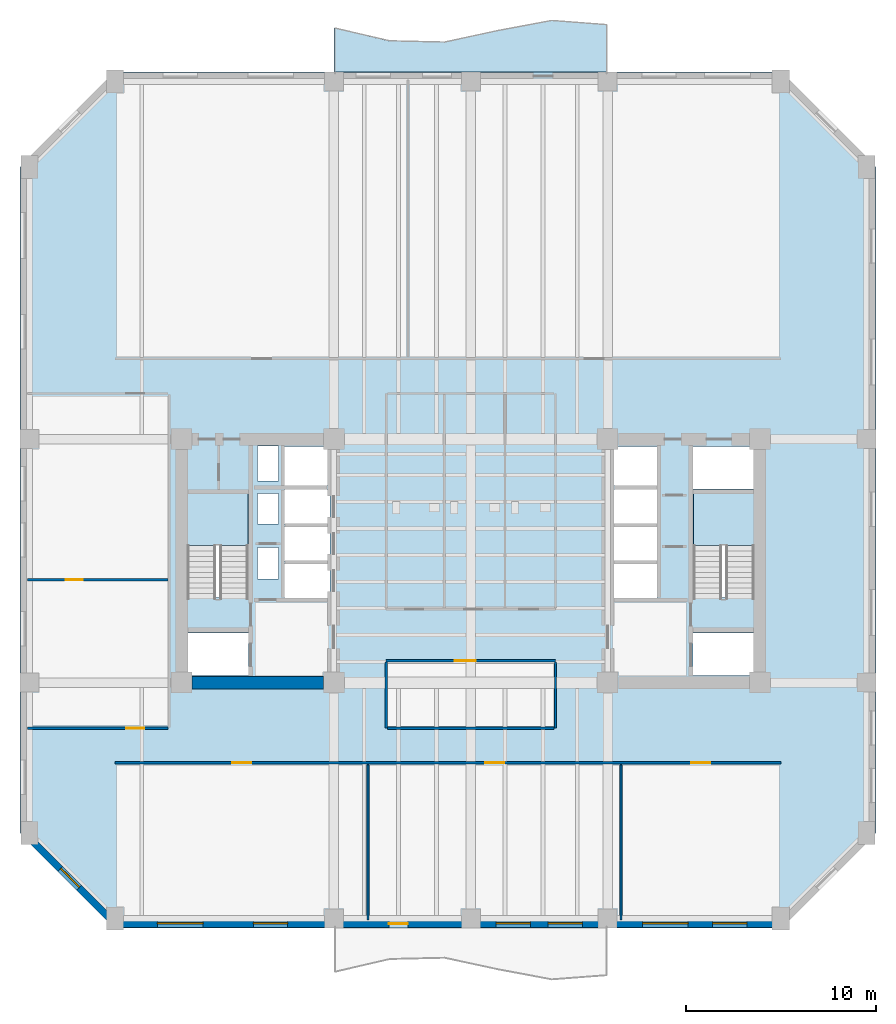
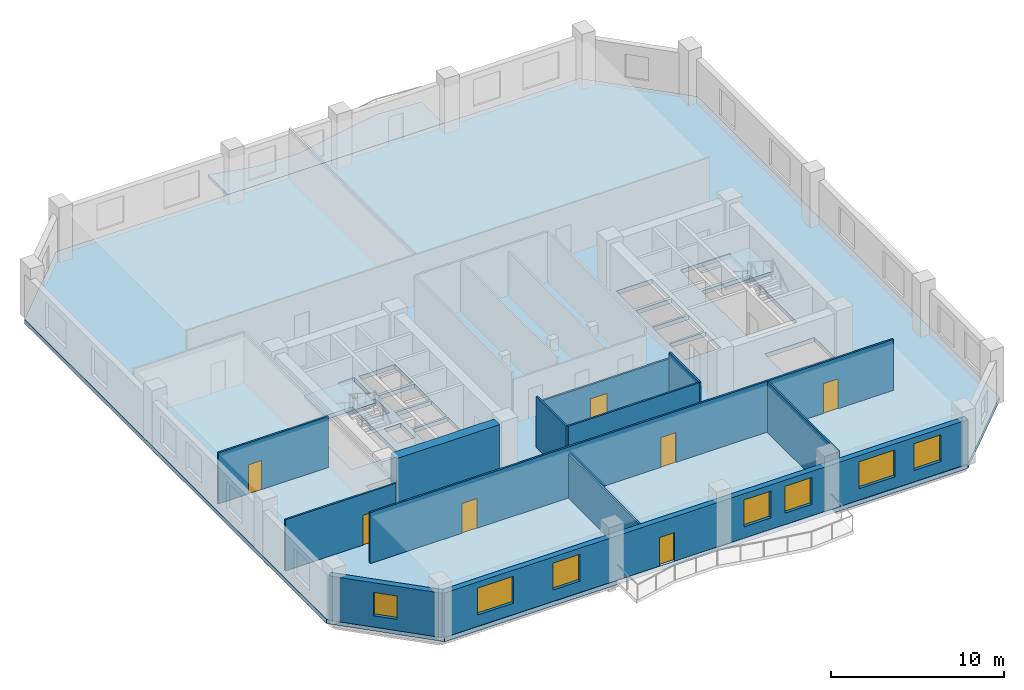
# One storey, part 2 of 10: 12 walls, 7 doors, 7 windows, 4 slabs, 14 openings, 2 elements without a shape of their own.
"""IFC4 building model written with IfcOpenShell, lengths in metres."""

from ifc_helpers import new_model, si_unit, direction, frame, frame_2d, origin, place, context, subcontext, project, spatial, polyline, rectangle, outline, extrude, material, layer, layer_set, type_object, element, fill, aggregate, save


model = new_model("IFC4")

# Units and contexts
model_context = context("Model", 3, precision=1e-05, world=origin(), true_north=direction((0.0, 1.0)))
body_context = subcontext(model_context, "Body", "Model", "MODEL_VIEW")
ifc_project = project(units=[si_unit("LENGTHUNIT", "METRE"), si_unit("AREAUNIT", "SQUARE_METRE"), si_unit("VOLUMEUNIT", "CUBIC_METRE"), si_unit("PLANEANGLEUNIT", "RADIAN"), si_unit("MASSUNIT", "GRAM", prefix="KILO")], contexts=[model_context])

# Site, building, storey
site_placement = place(None, origin())
site = spatial("IfcSite", under=ifc_project, at=site_placement, CompositionType="ELEMENT")
building_placement = place(site_placement, origin())
building = spatial("IfcBuilding", under=site, at=building_placement, Name="Kranthara Brick Stack", CompositionType="ELEMENT")
storey_placement = place(building_placement, frame((0.0, 0.0, 98.39990234375)))
storey = spatial("IfcBuildingStorey", under=building, at=storey_placement, Name="L24", CompositionType="ELEMENT", Elevation=98.39990234375)

# Slab
ifc_material_1 = material(Name="Concrete C45/55", Category="concrete")
ifc_layer_1 = layer(ifc_material_1, 0.219970703125)
ifc_layer_set_1 = layer_set([ifc_layer_1], Name="Concrete C45/55")
slab_type_1 = type_object("IfcSlabType", Name="SLB-BALC-220", PredefinedType="FLOOR", material=ifc_layer_set_1)
slab_1_placement = place(storey_placement, frame((0.0, 0.0, -0.219970703125)))
element("IfcSlab", 1, at=slab_1_placement, inside=storey, type_object=slab_type_1, Name="L24 North Rippling Balcony Slab", PredefinedType="FLOOR", context=body_context, shape_type="SweptSolid", body=[
    extrude(outline(polyline([(35.199951171875, 52.89990234375), (20.800048828125, 52.89990234375), (20.800048828125, 55.218017578125), (23.679931640625, 54.544677734375), (26.56005859375, 54.475341796875), (29.43994140625, 55.09716796875), (32.320068359375, 55.628173828125), (35.199951171875, 55.400634765625), (35.199951171875, 52.89990234375)])), origin(), (0.0, 0.0, 1.0), 0.219970703125),
])

# Stair, slab
ifc_material_2 = material(Name="Concrete C45/55", Category="concrete")
stair_type = type_object("IfcStairType", Name="ST-CORE-22R", PredefinedType="HALF_TURN_STAIR", material=ifc_material_2)
stair_1_placement = place(storey_placement, origin())
stair_1 = element("IfcStair", 2, at=stair_1_placement, inside=storey, type_object=stair_type, Name="L24 West Core Protected Exit Stair ST01", PredefinedType="HALF_TURN_STAIR")
ifc_material_3 = material(Name="Concrete C45/55", Category="concrete")
ifc_layer_2 = layer(ifc_material_3, 0.199951171875)
ifc_layer_set_2 = layer_set([ifc_layer_2], Name="Concrete C45/55")
slab_type_2 = type_object("IfcSlabType", Name="SLB-LANDING-200", PredefinedType="LANDING", material=ifc_layer_set_2)
slab_2_placement = place(storey_placement, frame((0.0, 0.0, 1.75)))
slab_2 = element("IfcSlab", 3, at=slab_2_placement, type_object=slab_type_2, Name="ST01 landing 1", PredefinedType="LANDING", context=body_context, shape_type="SweptSolid", body=[
    extrude(outline(polyline([(16.300048828125, 28.0), (16.300048828125, 30.75), (13.10009765625, 30.75), (13.10009765625, 28.0), (16.300048828125, 28.0)])), origin(), (0.0, 0.0, 1.0), 0.2001953125),
])
aggregate(stair_1, [slab_2])

stair_2_placement = place(storey_placement, origin())
stair_2 = element("IfcStair", 4, at=stair_2_placement, inside=storey, type_object=stair_type, Name="L24 East Core Protected Exit Stair ST02", PredefinedType="HALF_TURN_STAIR")
slab_3_placement = place(storey_placement, frame((0.0, 0.0, 1.75)))
slab_3 = element("IfcSlab", 5, at=slab_3_placement, type_object=slab_type_2, Name="ST02 landing 1", PredefinedType="LANDING", context=body_context, shape_type="SweptSolid", body=[
    extrude(outline(polyline([(42.89990234375, 28.0), (42.89990234375, 30.75), (39.699951171875, 30.75), (39.699951171875, 28.0), (42.89990234375, 28.0)])), origin(), (0.0, 0.0, 1.0), 0.2001953125),
])
aggregate(stair_2, [slab_3])

# Slab
ifc_material_4 = material(Name="Post-tensioned concrete C45/55", Category="concrete")
ifc_layer_3 = layer(ifc_material_4, 0.300048828125)
ifc_layer_set_3 = layer_set([ifc_layer_3], Name="Post-tensioned concrete C45/55")
slab_type_3 = type_object("IfcSlabType", Name="SLB-TWR-300", PredefinedType="FLOOR", material=ifc_layer_set_3)
slab_4_placement = place(storey_placement, frame((0.0, 0.0, -0.2998046875)))
element("IfcSlab", 6, at=slab_4_placement, inside=storey, type_object=slab_type_3, Name="L24 Structural Floor Plate", PredefinedType="FLOOR", context=body_context, shape_type="SweptSolid", body=[
    extrude(outline(polyline([(9.300048828125, 7.89990234375), (44.300048828125, 7.89990234375), (49.300048828125, 12.89990234375), (49.300048828125, 47.89990234375), (44.300048828125, 52.89990234375), (9.300048828125, 52.89990234375), (4.300048828125, 47.89990234375), (4.300048828125, 12.89990234375), (9.300048828125, 7.89990234375)]), holes=[polyline([(13.10009765625, 25.280029296875), (16.300048828125, 25.280029296875), (16.300048828125, 30.75), (13.10009765625, 30.75), (13.10009765625, 25.280029296875)]), polyline([(39.699951171875, 25.280029296875), (42.89990234375, 25.280029296875), (42.89990234375, 30.75), (39.699951171875, 30.75), (39.699951171875, 25.280029296875)]), polyline([(13.0, 21.179931640625), (16.320068359375, 21.179931640625), (16.320068359375, 23.419921875), (13.0, 23.419921875), (13.0, 21.179931640625)]), polyline([(39.679931640625, 21.179931640625), (43.0, 21.179931640625), (43.0, 23.419921875), (39.679931640625, 23.419921875), (39.679931640625, 21.179931640625)]), polyline([(39.679931640625, 30.97998046875), (43.0, 30.97998046875), (43.0, 33.219970703125), (39.679931640625, 33.219970703125), (39.679931640625, 30.97998046875)]), polyline([(18.199951171875, 25.25), (20.60009765625, 25.25), (20.60009765625, 27.050048828125), (18.199951171875, 27.050048828125), (18.199951171875, 25.25)]), polyline([(18.199951171875, 27.199951171875), (20.60009765625, 27.199951171875), (20.60009765625, 29.0), (18.199951171875, 29.0), (18.199951171875, 27.199951171875)]), polyline([(18.199951171875, 29.14990234375), (20.60009765625, 29.14990234375), (20.60009765625, 30.949951171875), (18.199951171875, 30.949951171875), (18.199951171875, 29.14990234375)]), polyline([(35.39990234375, 25.25), (37.800048828125, 25.25), (37.800048828125, 27.050048828125), (35.39990234375, 27.050048828125), (35.39990234375, 25.25)]), polyline([(35.39990234375, 27.199951171875), (37.800048828125, 27.199951171875), (37.800048828125, 29.0), (35.39990234375, 29.0), (35.39990234375, 27.199951171875)]), polyline([(35.39990234375, 29.14990234375), (37.800048828125, 29.14990234375), (37.800048828125, 30.949951171875), (35.39990234375, 30.949951171875), (35.39990234375, 29.14990234375)]), polyline([(18.199951171875, 31.14990234375), (20.60009765625, 31.14990234375), (20.60009765625, 33.219970703125), (18.199951171875, 33.219970703125), (18.199951171875, 31.14990234375)]), polyline([(35.39990234375, 31.14990234375), (37.800048828125, 31.14990234375), (37.800048828125, 33.219970703125), (35.39990234375, 33.219970703125), (35.39990234375, 31.14990234375)]), polyline([(16.800048828125, 26.25), (17.89990234375, 26.25), (17.89990234375, 27.89990234375), (16.800048828125, 27.89990234375), (16.800048828125, 26.25)]), polyline([(16.800048828125, 29.14990234375), (17.89990234375, 29.14990234375), (17.89990234375, 30.75), (16.800048828125, 30.75), (16.800048828125, 29.14990234375)]), polyline([(16.800048828125, 31.39990234375), (17.89990234375, 31.39990234375), (17.89990234375, 33.25), (16.800048828125, 33.25), (16.800048828125, 31.39990234375)])]), origin(), (0.0, 0.0, 1.0), 0.2998046875),
])

# Wall, openings, door, windows
ifc_material_5 = material(Name="Kiln-fired clay brick masonry M15", Category="masonry")
ifc_layer_4 = layer(ifc_material_5, 0.3798828125)
ifc_layer_set_4 = layer_set([ifc_layer_4], Name="Kiln-fired clay brick masonry M15")
wall_type_1 = type_object("IfcWallType", Name="WL-BRK-PIER-380", PredefinedType="STANDARD", material=ifc_layer_set_4)
wall_1_placement = place(storey_placement, frame((44.300048828125, 8.110107421875, 0.0), z_axis=(0.0, 0.0, 1.0), x_axis=(-1.0, 0.0, 0.0)))
wall_1 = element("IfcWall", 7, at=wall_1_placement, inside=storey, type_object=wall_type_1, Name="L24 Exterior Brick Facade Wall SOUTH 1", PredefinedType="STANDARD", context=body_context, shape_type="SweptSolid", body=[
    extrude(rectangle(XDim=35.0, YDim=0.3798828125, at=frame_2d((17.5, 0.0))), origin(), (0.0, 0.0, 1.0), 3.135009765625),
])
opening_1_placement = place(wall_1_placement, frame((19.60009765625, 0.0, 0.0)))
opening_1 = element("IfcOpeningElement", 8, at=opening_1_placement, cuts=wall_1, Name="Opening D03", PredefinedType="OPENING", context=body_context, shape_type="SweptSolid", body=[
    extrude(rectangle(XDim=1.0, YDim=2.02001953125, at=frame_2d((0.5, 1.010009765625))), frame((0.0, 0.199951171875, 0.0), z_axis=(0.0, -1.0, 0.0), x_axis=(1.0, 0.0, 0.0)), (0.0, 0.0, 1.0), 0.39990234375),
])
opening_2_placement = place(wall_1_placement, frame((1.782958984375, 0.0, 0.800048828125)))
opening_2 = element("IfcOpeningElement", 9, at=opening_2_placement, cuts=wall_1, Name="Opening WN01", PredefinedType="OPENING", context=body_context, shape_type="SweptSolid", body=[
    extrude(rectangle(XDim=1.800048828125, YDim=1.89990234375, at=frame_2d((0.89990234375, 0.949951171875))), frame((0.0, 0.199951171875, 0.0), z_axis=(0.0, -1.0, 0.0), x_axis=(1.0, 0.0, 0.0)), (0.0, 0.0, 1.0), 0.39990234375),
])
opening_3_placement = place(wall_1_placement, frame((4.866943359375, 0.0, 0.800048828125)))
opening_3 = element("IfcOpeningElement", 10, at=opening_3_placement, cuts=wall_1, Name="Opening WN02", PredefinedType="OPENING", context=body_context, shape_type="SweptSolid", body=[
    extrude(rectangle(XDim=2.39990234375, YDim=1.89990234375, at=frame_2d((1.199951171875, 0.949951171875))), frame((0.0, 0.199951171875, 0.0), z_axis=(0.0, -1.0, 0.0), x_axis=(1.0, 0.0, 0.0)), (0.0, 0.0, 1.0), 0.39990234375),
])
opening_4_placement = place(wall_1_placement, frame((10.431884765625, 0.0, 0.800048828125)))
opening_4 = element("IfcOpeningElement", 11, at=opening_4_placement, cuts=wall_1, Name="Opening WN01", PredefinedType="OPENING", context=body_context, shape_type="SweptSolid", body=[
    extrude(rectangle(XDim=1.800048828125, YDim=1.89990234375, at=frame_2d((0.89990234375, 0.949951171875))), frame((0.0, 0.199951171875, 0.0), z_axis=(0.0, -1.0, 0.0), x_axis=(1.0, 0.0, 0.0)), (0.0, 0.0, 1.0), 0.39990234375),
])
opening_5_placement = place(wall_1_placement, frame((13.16796875, 0.0, 0.800048828125)))
opening_5 = element("IfcOpeningElement", 12, at=opening_5_placement, cuts=wall_1, Name="Opening WN01", PredefinedType="OPENING", context=body_context, shape_type="SweptSolid", body=[
    extrude(rectangle(XDim=1.800048828125, YDim=1.89990234375, at=frame_2d((0.89990234375, 0.949951171875))), frame((0.0, 0.199951171875, 0.0), z_axis=(0.0, -1.0, 0.0), x_axis=(1.0, 0.0, 0.0)), (0.0, 0.0, 1.0), 0.39990234375),
])
opening_6_placement = place(wall_1_placement, frame((25.924072265625, 0.0, 0.800048828125)))
opening_6 = element("IfcOpeningElement", 13, at=opening_6_placement, cuts=wall_1, Name="Opening WN01", PredefinedType="OPENING", context=body_context, shape_type="SweptSolid", body=[
    extrude(rectangle(XDim=1.800048828125, YDim=1.89990234375, at=frame_2d((0.89990234375, 0.949951171875))), frame((0.0, 0.199951171875, 0.0), z_axis=(0.0, -1.0, 0.0), x_axis=(1.0, 0.0, 0.0)), (0.0, 0.0, 1.0), 0.39990234375),
])
opening_7_placement = place(wall_1_placement, frame((30.3759765625, 0.0, 0.800048828125)))
opening_7 = element("IfcOpeningElement", 14, at=opening_7_placement, cuts=wall_1, Name="Opening WN02", PredefinedType="OPENING", context=body_context, shape_type="SweptSolid", body=[
    extrude(rectangle(XDim=2.39990234375, YDim=1.89990234375, at=frame_2d((1.199951171875, 0.949951171875))), frame((0.0, 0.199951171875, 0.0), z_axis=(0.0, -1.0, 0.0), x_axis=(1.0, 0.0, 0.0)), (0.0, 0.0, 1.0), 0.39990234375),
])
ifc_material_6 = material(Name="Bronze anodised aluminium and laminated glass", Category="aluminium")
door_type_1 = type_object("IfcDoorType", Name="DR-BALC-1000", OperationType="NOTDEFINED", PredefinedType="DOOR", material=ifc_material_6)
door_1_placement = place(opening_1_placement, origin())
door_1 = element("IfcDoor", 15, at=door_1_placement, inside=storey, type_object=door_type_1, Name="L24 South Balcony Terrace Door", OperationType="SINGLE_SWING_LEFT", OverallHeight=2.02001953125, OverallWidth=1.0, PredefinedType="DOOR", context=body_context, shape_type="SweptSolid", body=[
    extrude(rectangle(XDim=1.0, YDim=2.02001953125, at=frame_2d((0.5, 1.010009765625))), frame((0.0, 0.02490234375, 0.0), z_axis=(0.0, -1.0, 0.0), x_axis=(1.0, 0.0, 0.0)), (0.0, 0.0, 1.0), 0.050048828125),
])
fill(opening_1, door_1)
ifc_material_7 = material(Name="Double-glazed low-E solar control glass", Category="glass")
window_type_1 = type_object("IfcWindowType", Name="WN-OFF-1800x2000", PartitioningType="SINGLE_PANEL", PredefinedType="WINDOW", material=ifc_material_7)
window_1_placement = place(opening_2_placement, origin())
window_1 = element("IfcWindow", 16, at=window_1_placement, inside=storey, type_object=window_type_1, Name="L24 South Deep-Set Brick Window 01", OverallHeight=1.89990234375, OverallWidth=1.800048828125, PartitioningType="SINGLE_PANEL", PredefinedType="WINDOW", context=body_context, shape_type="SweptSolid", body=[
    extrude(rectangle(XDim=1.800048828125, YDim=1.89990234375, at=frame_2d((0.89990234375, 0.949951171875))), frame((0.0, -0.010009765625, 0.0), z_axis=(0.0, -1.0, 0.0), x_axis=(1.0, 0.0, 0.0)), (0.0, 0.0, 1.0), 0.06005859375),
])
fill(opening_2, window_1)
window_2_placement = place(opening_4_placement, origin())
window_2 = element("IfcWindow", 17, at=window_2_placement, inside=storey, type_object=window_type_1, Name="L24 South Deep-Set Brick Window 03", OverallHeight=1.89990234375, OverallWidth=1.800048828125, PartitioningType="SINGLE_PANEL", PredefinedType="WINDOW", context=body_context, shape_type="SweptSolid", body=[
    extrude(rectangle(XDim=1.800048828125, YDim=1.89990234375, at=frame_2d((0.89990234375, 0.949951171875))), frame((0.0, -0.010009765625, 0.0), z_axis=(0.0, -1.0, 0.0), x_axis=(1.0, 0.0, 0.0)), (0.0, 0.0, 1.0), 0.06005859375),
])
fill(opening_4, window_2)
window_3_placement = place(opening_5_placement, origin())
window_3 = element("IfcWindow", 18, at=window_3_placement, inside=storey, type_object=window_type_1, Name="L24 South Deep-Set Brick Window 04", OverallHeight=1.89990234375, OverallWidth=1.800048828125, PartitioningType="SINGLE_PANEL", PredefinedType="WINDOW", context=body_context, shape_type="SweptSolid", body=[
    extrude(rectangle(XDim=1.800048828125, YDim=1.89990234375, at=frame_2d((0.89990234375, 0.949951171875))), frame((0.0, -0.010009765625, 0.0), z_axis=(0.0, -1.0, 0.0), x_axis=(1.0, 0.0, 0.0)), (0.0, 0.0, 1.0), 0.06005859375),
])
fill(opening_5, window_3)
window_4_placement = place(opening_6_placement, origin())
window_4 = element("IfcWindow", 19, at=window_4_placement, inside=storey, type_object=window_type_1, Name="L24 South Deep-Set Brick Window 05", OverallHeight=1.89990234375, OverallWidth=1.800048828125, PartitioningType="SINGLE_PANEL", PredefinedType="WINDOW", context=body_context, shape_type="SweptSolid", body=[
    extrude(rectangle(XDim=1.800048828125, YDim=1.89990234375, at=frame_2d((0.89990234375, 0.949951171875))), frame((0.0, -0.010009765625, 0.0), z_axis=(0.0, -1.0, 0.0), x_axis=(1.0, 0.0, 0.0)), (0.0, 0.0, 1.0), 0.06005859375),
])
fill(opening_6, window_4)
ifc_material_8 = material(Name="Double-glazed low-E solar control glass", Category="glass")
window_type_2 = type_object("IfcWindowType", Name="WN-OFF-2400x2000", PartitioningType="DOUBLE_PANEL_VERTICAL", PredefinedType="WINDOW", material=ifc_material_8)
window_5_placement = place(opening_3_placement, origin())
window_5 = element("IfcWindow", 20, at=window_5_placement, inside=storey, type_object=window_type_2, Name="L24 South Deep-Set Brick Window 02", OverallHeight=1.89990234375, OverallWidth=2.39990234375, PartitioningType="SINGLE_PANEL", PredefinedType="WINDOW", context=body_context, shape_type="SweptSolid", body=[
    extrude(rectangle(XDim=2.39990234375, YDim=1.89990234375, at=frame_2d((1.199951171875, 0.949951171875))), frame((0.0, -0.010009765625, 0.0), z_axis=(0.0, -1.0, 0.0), x_axis=(1.0, 0.0, 0.0)), (0.0, 0.0, 1.0), 0.06005859375),
])
fill(opening_3, window_5)
window_6_placement = place(opening_7_placement, origin())
window_6 = element("IfcWindow", 21, at=window_6_placement, inside=storey, type_object=window_type_2, Name="L24 South Deep-Set Brick Window 06", OverallHeight=1.89990234375, OverallWidth=2.39990234375, PartitioningType="SINGLE_PANEL", PredefinedType="WINDOW", context=body_context, shape_type="SweptSolid", body=[
    extrude(rectangle(XDim=2.39990234375, YDim=1.89990234375, at=frame_2d((1.199951171875, 0.949951171875))), frame((0.0, -0.010009765625, 0.0), z_axis=(0.0, -1.0, 0.0), x_axis=(1.0, 0.0, 0.0)), (0.0, 0.0, 1.0), 0.06005859375),
])
fill(opening_7, window_6)

# Wall, opening, window
wall_2_placement = place(storey_placement, frame((9.300048828125, 8.110107421875, 0.0), z_axis=(0.0, 0.0, 1.0), x_axis=(-0.707124801467, 0.707088760447, 0.0)))
wall_2 = element("IfcWall", 22, at=wall_2_placement, inside=storey, type_object=wall_type_1, Name="L24 Exterior Brick Facade Wall SW 1", PredefinedType="STANDARD", context=body_context, shape_type="SweptSolid", body=[
    extrude(rectangle(XDim=6.77392578125, YDim=0.3798828125, at=frame_2d((3.386962890625, 0.0))), origin(), (0.0, 0.0, 1.0), 3.135009765625),
])
opening_8_placement = place(wall_2_placement, frame((2.68701171875, 0.0, 0.800048828125)))
opening_8 = element("IfcOpeningElement", 23, at=opening_8_placement, cuts=wall_2, Name="Opening WN10", PredefinedType="OPENING", context=body_context, shape_type="SweptSolid", body=[
    extrude(rectangle(XDim=1.39990234375, YDim=1.64990234375, at=frame_2d((0.699951171875, 0.824951171875))), frame((0.0, 0.199951171875, 0.0), z_axis=(0.0, -1.0, 0.0), x_axis=(1.0, 0.0, 0.0)), (0.0, 0.0, 1.0), 0.39990234375),
])
ifc_material_9 = material(Name="Double-glazed low-E solar control glass", Category="glass")
window_type_3 = type_object("IfcWindowType", Name="WN-CHM-1400x1750", PartitioningType="SINGLE_PANEL", PredefinedType="WINDOW", material=ifc_material_9)
window_7_placement = place(opening_8_placement, origin())
window_7 = element("IfcWindow", 24, at=window_7_placement, inside=storey, type_object=window_type_3, Name="L24 SW Chamfer Corner Window", OverallHeight=1.64990234375, OverallWidth=1.39990234375, PartitioningType="SINGLE_PANEL", PredefinedType="WINDOW", context=body_context, shape_type="SweptSolid", body=[
    extrude(rectangle(XDim=1.39990234375, YDim=1.64990234375, at=frame_2d((0.699951171875, 0.824951171875))), frame((0.0, -0.010009765625, 0.0), z_axis=(0.0, -1.0, 0.0), x_axis=(1.0, 0.0, 0.0)), (0.0, 0.0, 1.0), 0.06005859375),
])
fill(opening_8, window_7)

# Wall
ifc_material_10 = material(Name="Concrete C60/75", Category="concrete")
ifc_layer_5 = layer(ifc_material_10, 0.64990234375)
ifc_layer_set_5 = layer_set([ifc_layer_5], Name="Concrete C60/75")
wall_type_2 = type_object("IfcWallType", Name="WL-CORE-650", PredefinedType="SHEAR", material=ifc_layer_set_5)
wall_3_placement = place(storey_placement, frame((13.35498046875, 20.800048828125, 0.0), z_axis=(0.0, 0.0, 1.0), x_axis=(1.0, 0.0, 0.0)))
element("IfcWall", 25, at=wall_3_placement, inside=storey, type_object=wall_type_2, Name="L24 West Core Shear Wall South", PredefinedType="SHEAR", context=body_context, shape_type="SweptSolid", body=[
    extrude(rectangle(XDim=6.89013671875, YDim=0.64990234375, at=frame_2d((3.445068359375, 0.0))), origin(), (0.0, 0.0, 1.0), 3.60009765625),
])

# Wall, opening, door
ifc_material_11 = material(Name="Acoustic gypsum plasterboard partition", Category="other")
ifc_layer_6 = layer(ifc_material_11, 0.1201171875)
ifc_layer_set_6 = layer_set([ifc_layer_6], Name="Acoustic gypsum plasterboard partition")
wall_type_3 = type_object("IfcWallType", Name="WL-PART-120", PredefinedType="PARTITIONING", material=ifc_layer_set_6)
wall_4_placement = place(storey_placement, frame((23.550048828125, 21.949951171875, 0.0), z_axis=(0.0, 0.0, 1.0), x_axis=(1.0, 0.0, 0.0)))
wall_4 = element("IfcWall", 26, at=wall_4_placement, inside=storey, type_object=wall_type_3, Name="L24 Interior Partition 011", PredefinedType="PARTITIONING", context=body_context, shape_type="SweptSolid", body=[
    extrude(rectangle(XDim=8.89990234375, YDim=0.1201171875, at=frame_2d((4.449951171875, 0.0))), origin(), (0.0, 0.0, 1.0), 3.135009765625),
])
opening_9_placement = place(wall_4_placement, frame((3.60009765625, 0.0, 0.0)))
opening_9 = element("IfcOpeningElement", 27, at=opening_9_placement, cuts=wall_4, Name="Opening D11", PredefinedType="OPENING", context=body_context, shape_type="SweptSolid", body=[
    extrude(rectangle(XDim=1.10009765625, YDim=2.14990234375, at=frame_2d((0.550048828125, 1.074951171875))), frame((0.0, 0.070068359375, 0.0), z_axis=(0.0, -1.0, 0.0), x_axis=(1.0, 0.0, 0.0)), (0.0, 0.0, 1.0), 0.14013671875),
])
ifc_material_12 = material(Name="Solid-core hardwood timber leaf in steel frame", Category="steel")
door_type_2 = type_object("IfcDoorType", Name="DR-INT-1100", OperationType="NOTDEFINED", PredefinedType="DOOR", material=ifc_material_12)
door_2_placement = place(opening_9_placement, origin())
door_2 = element("IfcDoor", 28, at=door_2_placement, inside=storey, type_object=door_type_2, Name="L24 Internal Briefing Room 08", OperationType="SINGLE_SWING_RIGHT", OverallHeight=2.14990234375, OverallWidth=1.10009765625, PredefinedType="DOOR", context=body_context, shape_type="SweptSolid", body=[
    extrude(rectangle(XDim=1.10009765625, YDim=2.14990234375, at=frame_2d((0.550048828125, 1.074951171875))), frame((0.0, 0.02490234375, 0.0), z_axis=(0.0, -1.0, 0.0), x_axis=(1.0, 0.0, 0.0)), (0.0, 0.0, 1.0), 0.050048828125),
])
fill(opening_9, door_2)

# Walls
for number, where, z_axis, x_axis, name in (
    (29, (23.550048828125, 18.39990234375, 0.0), (0.0, 0.0, 1.0), (0.0, 1.0, 0.0), "L24 Interior Partition 012"),
    (30, (32.449951171875, 18.39990234375, 0.0), (0.0, 0.0, 1.0), (0.0, 1.0, 0.0), "L24 Interior Partition 013"),
):
    element("IfcWall", number, at=place(storey_placement, frame(where, z_axis=z_axis, x_axis=x_axis)), inside=storey, type_object=wall_type_3, Name=name, PredefinedType="PARTITIONING", context=body_context, shape_type="SweptSolid", body=[
        extrude(rectangle(XDim=3.485107421875, YDim=0.1201171875, at=frame_2d((1.74267578125, 0.0))), origin(), (0.0, 0.0, 1.0), 3.60009765625),
    ])
wall_5_placement = place(storey_placement, frame((23.614990234375, 18.39990234375, 0.0), z_axis=(0.0, 0.0, 1.0), x_axis=(1.0, 0.0, 0.0)))
element("IfcWall", 31, at=wall_5_placement, inside=storey, type_object=wall_type_3, Name="L24 Interior Partition 014", PredefinedType="PARTITIONING", context=body_context, shape_type="SweptSolid", body=[
    extrude(rectangle(XDim=8.77001953125, YDim=0.1201171875, at=frame_2d((4.385009765625, 0.0))), origin(), (0.0, 0.0, 1.0), 3.60009765625),
])

# Wall, openings, doors
wall_6_placement = place(storey_placement, frame((9.300048828125, 16.580078125, 0.0), z_axis=(0.0, 0.0, 1.0), x_axis=(1.0, 0.0, 0.0)))
wall_6 = element("IfcWall", 32, at=wall_6_placement, inside=storey, type_object=wall_type_3, Name="L24 Interior Partition 015", PredefinedType="PARTITIONING", context=body_context, shape_type="SweptSolid", body=[
    extrude(rectangle(XDim=35.0, YDim=0.1201171875, at=frame_2d((17.5, 0.0))), origin(), (0.0, 0.0, 1.0), 3.60009765625),
])
opening_10_placement = place(wall_6_placement, frame((6.14990234375, 0.0, 0.0)))
opening_10 = element("IfcOpeningElement", 33, at=opening_10_placement, cuts=wall_6, Name="Opening D13", PredefinedType="OPENING", context=body_context, shape_type="SweptSolid", body=[
    extrude(rectangle(XDim=1.0, YDim=2.10009765625, at=frame_2d((0.5, 1.050048828125))), frame((0.0, 0.070068359375, 0.0), z_axis=(0.0, -1.0, 0.0), x_axis=(1.0, 0.0, 0.0)), (0.0, 0.0, 1.0), 0.14013671875),
])
opening_11_placement = place(wall_6_placement, frame((19.449951171875, 0.0, 0.0)))
opening_11 = element("IfcOpeningElement", 34, at=opening_11_placement, cuts=wall_6, Name="Opening D13", PredefinedType="OPENING", context=body_context, shape_type="SweptSolid", body=[
    extrude(rectangle(XDim=1.0, YDim=2.10009765625, at=frame_2d((0.5, 1.050048828125))), frame((0.0, 0.070068359375, 0.0), z_axis=(0.0, -1.0, 0.0), x_axis=(1.0, 0.0, 0.0)), (0.0, 0.0, 1.0), 0.14013671875),
])
opening_12_placement = place(wall_6_placement, frame((30.300048828125, 0.0, 0.0)))
opening_12 = element("IfcOpeningElement", 35, at=opening_12_placement, cuts=wall_6, Name="Opening D13", PredefinedType="OPENING", context=body_context, shape_type="SweptSolid", body=[
    extrude(rectangle(XDim=1.0, YDim=2.10009765625, at=frame_2d((0.5, 1.050048828125))), frame((0.0, 0.070068359375, 0.0), z_axis=(0.0, -1.0, 0.0), x_axis=(1.0, 0.0, 0.0)), (0.0, 0.0, 1.0), 0.14013671875),
])
ifc_material_13 = material(Name="Solid-core hardwood timber leaf in steel frame", Category="steel")
door_type_3 = type_object("IfcDoorType", Name="DR-INT-1000", OperationType="NOTDEFINED", PredefinedType="DOOR", material=ifc_material_13)
door_3_placement = place(opening_10_placement, origin())
door_3 = element("IfcDoor", 36, at=door_3_placement, inside=storey, type_object=door_type_3, Name="L24 Open Plan Workspace 09", OperationType="SINGLE_SWING_LEFT", OverallHeight=2.10009765625, OverallWidth=1.0, PredefinedType="DOOR", context=body_context, shape_type="SweptSolid", body=[
    extrude(rectangle(XDim=1.0, YDim=2.10009765625, at=frame_2d((0.5, 1.050048828125))), frame((0.0, 0.02490234375, 0.0), z_axis=(0.0, -1.0, 0.0), x_axis=(1.0, 0.0, 0.0)), (0.0, 0.0, 1.0), 0.050048828125),
])
fill(opening_10, door_3)
door_4_placement = place(opening_11_placement, origin())
door_4 = element("IfcDoor", 37, at=door_4_placement, inside=storey, type_object=door_type_3, Name="L24 Collaboration Lounge 10", OperationType="SINGLE_SWING_RIGHT", OverallHeight=2.10009765625, OverallWidth=1.0, PredefinedType="DOOR", context=body_context, shape_type="SweptSolid", body=[
    extrude(rectangle(XDim=1.0, YDim=2.10009765625, at=frame_2d((0.5, 1.050048828125))), frame((0.0, 0.02490234375, 0.0), z_axis=(0.0, -1.0, 0.0), x_axis=(1.0, 0.0, 0.0)), (0.0, 0.0, 1.0), 0.050048828125),
])
fill(opening_11, door_4)
door_5_placement = place(opening_12_placement, origin())
door_5 = element("IfcDoor", 38, at=door_5_placement, inside=storey, type_object=door_type_3, Name="L24 Boardroom 11", OperationType="SINGLE_SWING_LEFT", OverallHeight=2.10009765625, OverallWidth=1.0, PredefinedType="DOOR", context=body_context, shape_type="SweptSolid", body=[
    extrude(rectangle(XDim=1.0, YDim=2.10009765625, at=frame_2d((0.5, 1.050048828125))), frame((0.0, 0.02490234375, 0.0), z_axis=(0.0, -1.0, 0.0), x_axis=(1.0, 0.0, 0.0)), (0.0, 0.0, 1.0), 0.050048828125),
])
fill(opening_12, door_5)

# Walls
wall_7_placement = place(storey_placement, frame((22.60009765625, 8.304931640625, 0.0), z_axis=(0.0, 0.0, 1.0), x_axis=(0.0, 1.0, 0.0)))
element("IfcWall", 39, at=wall_7_placement, inside=storey, type_object=wall_type_3, Name="L24 Interior Partition 016", PredefinedType="PARTITIONING", context=body_context, shape_type="SweptSolid", body=[
    extrude(rectangle(XDim=8.175048828125, YDim=0.1201171875, at=frame_2d((4.08740234375, 0.0))), origin(), (0.0, 0.0, 1.0), 3.135009765625),
])
wall_8_placement = place(storey_placement, frame((35.89990234375, 8.304931640625, 0.0), z_axis=(0.0, 0.0, 1.0), x_axis=(0.0, 1.0, 0.0)))
element("IfcWall", 40, at=wall_8_placement, inside=storey, type_object=wall_type_3, Name="L24 Interior Partition 017", PredefinedType="PARTITIONING", context=body_context, shape_type="SweptSolid", body=[
    extrude(rectangle(XDim=8.175048828125, YDim=0.1201171875, at=frame_2d((4.08740234375, 0.0))), origin(), (0.0, 0.0, 1.0), 3.60009765625),
])

# Wall, opening, door
wall_9_placement = place(storey_placement, frame((4.705078125, 18.39990234375, 0.0), z_axis=(0.0, 0.0, 1.0), x_axis=(1.0, 0.0, 0.0)))
wall_9 = element("IfcWall", 41, at=wall_9_placement, inside=storey, type_object=wall_type_3, Name="L24 Interior Partition 021", PredefinedType="PARTITIONING", context=body_context, shape_type="SweptSolid", body=[
    extrude(rectangle(XDim=7.3798828125, YDim=0.1201171875, at=frame_2d((3.68994140625, 0.0))), origin(), (0.0, 0.0, 1.0), 3.60009765625),
])
opening_13_placement = place(wall_9_placement, frame((5.179931640625, 0.0, 0.0)))
opening_13 = element("IfcOpeningElement", 42, at=opening_13_placement, cuts=wall_9, Name="Opening D14", PredefinedType="OPENING", context=body_context, shape_type="SweptSolid", body=[
    extrude(rectangle(XDim=0.949951171875, YDim=2.10009765625, at=frame_2d((0.47509765625, 1.050048828125))), frame((0.0, 0.070068359375, 0.0), z_axis=(0.0, -1.0, 0.0), x_axis=(1.0, 0.0, 0.0)), (0.0, 0.0, 1.0), 0.14013671875),
])
ifc_material_14 = material(Name="Solid-core hardwood timber leaf in steel frame", Category="steel")
door_type_4 = type_object("IfcDoorType", Name="DR-INT-950", OperationType="NOTDEFINED", PredefinedType="DOOR", material=ifc_material_14)
door_6_placement = place(opening_13_placement, origin())
door_6 = element("IfcDoor", 43, at=door_6_placement, inside=storey, type_object=door_type_4, Name="L24 West South Office 15", OperationType="SINGLE_SWING_LEFT", OverallHeight=2.10009765625, OverallWidth=0.949951171875, PredefinedType="DOOR", context=body_context, shape_type="SweptSolid", body=[
    extrude(rectangle(XDim=0.949951171875, YDim=2.10009765625, at=frame_2d((0.47509765625, 1.050048828125))), frame((0.0, 0.02490234375, 0.0), z_axis=(0.0, -1.0, 0.0), x_axis=(1.0, 0.0, 0.0)), (0.0, 0.0, 1.0), 0.050048828125),
])
fill(opening_13, door_6)

wall_10_placement = place(storey_placement, frame((4.705078125, 26.199951171875, 0.0), z_axis=(0.0, 0.0, 1.0), x_axis=(1.0, 0.0, 0.0)))
wall_10 = element("IfcWall", 44, at=wall_10_placement, inside=storey, type_object=wall_type_3, Name="L24 Interior Partition 023", PredefinedType="PARTITIONING", context=body_context, shape_type="SweptSolid", body=[
    extrude(rectangle(XDim=7.3798828125, YDim=0.1201171875, at=frame_2d((3.68994140625, 0.0))), origin(), (0.0, 0.0, 1.0), 3.60009765625),
])
opening_14_placement = place(wall_10_placement, frame((2.0, 0.0, 0.0)))
opening_14 = element("IfcOpeningElement", 45, at=opening_14_placement, cuts=wall_10, Name="Opening D15", PredefinedType="OPENING", context=body_context, shape_type="SweptSolid", body=[
    extrude(rectangle(XDim=0.89990234375, YDim=2.050048828125, at=frame_2d((0.449951171875, 1.02490234375))), frame((0.0, 0.070068359375, 0.0), z_axis=(0.0, -1.0, 0.0), x_axis=(1.0, 0.0, 0.0)), (0.0, 0.0, 1.0), 0.14013671875),
])
ifc_material_15 = material(Name="Solid-core hardwood timber leaf in steel frame", Category="steel")
door_type_5 = type_object("IfcDoorType", Name="DR-INT-900", OperationType="NOTDEFINED", PredefinedType="DOOR", material=ifc_material_15)
door_7_placement = place(opening_14_placement, origin())
door_7 = element("IfcDoor", 46, at=door_7_placement, inside=storey, type_object=door_type_5, Name="L24 West Inner Suite Door 14", OperationType="SINGLE_SWING_RIGHT", OverallHeight=2.050048828125, OverallWidth=0.89990234375, PredefinedType="DOOR", context=body_context, shape_type="SweptSolid", body=[
    extrude(rectangle(XDim=0.89990234375, YDim=2.050048828125, at=frame_2d((0.449951171875, 1.02490234375))), frame((0.0, 0.02490234375, 0.0), z_axis=(0.0, -1.0, 0.0), x_axis=(1.0, 0.0, 0.0)), (0.0, 0.0, 1.0), 0.050048828125),
])
fill(opening_14, door_7)

save(model, "model.ifc")
